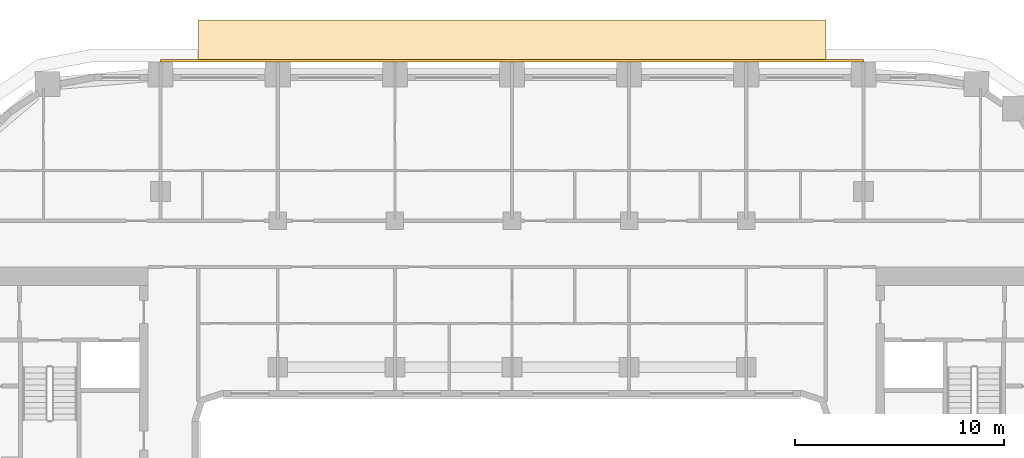
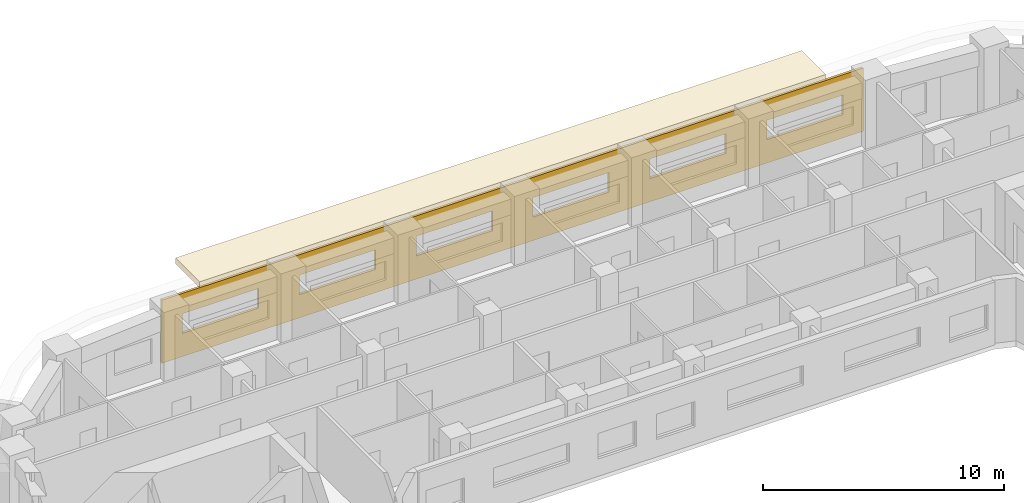
# One storey, part 21 of 22: 2 coverings.
"""IFC4 building model written with IfcOpenShell, lengths in metres."""

from ifc_helpers import new_model, si_unit, direction, frame, origin, place, context, subcontext, project, spatial, polyline, outline, extrude, material, layer, layer_set, type_object, element, save


model = new_model("IFC4")

# Units and contexts
model_context = context("Model", 3, precision=1e-05, world=origin(), true_north=direction((0.0, 1.0)))
body_context = subcontext(model_context, "Body", "Model", "MODEL_VIEW")
ifc_project = project(units=[si_unit("LENGTHUNIT", "METRE"), si_unit("AREAUNIT", "SQUARE_METRE"), si_unit("VOLUMEUNIT", "CUBIC_METRE"), si_unit("PLANEANGLEUNIT", "RADIAN"), si_unit("MASSUNIT", "GRAM", prefix="KILO")], contexts=[model_context])

# Site, building, storey
site_placement = place(None, origin())
site = spatial("IfcSite", under=ifc_project, at=site_placement, CompositionType="ELEMENT")
building_placement = place(site_placement, origin())
building = spatial("IfcBuilding", under=site, at=building_placement, Name="Kiln Ring Residences", CompositionType="ELEMENT")
storey_placement = place(building_placement, frame((0.0, 0.0, 111.300048828125)))
storey = spatial("IfcBuildingStorey", under=building, at=storey_placement, Name="L28", CompositionType="ELEMENT", Elevation=111.300048828125)

# Coverings
ifc_material_1 = material(Name="Brick masonry, dark clay brick", Category="masonry")
ifc_layer_1 = layer(ifc_material_1, 0.1201171875)
ifc_layer_set_1 = layer_set([ifc_layer_1], Name="RAINSCREEN PANEL 120")
covering_type_1 = type_object("IfcCoveringType", Name="RAINSCREEN PANEL 120", PredefinedType="CLADDING", material=ifc_layer_set_1)
covering_1_placement = place(storey_placement, frame((16.800048828125, 23.06005859375, 0.0), z_axis=(0.0, 0.0, 1.0), x_axis=(-1.0, 0.0, 0.0)))
element("IfcCovering", 1, at=covering_1_placement, inside=storey, type_object=covering_type_1, Name="RAINSCREEN L28", PredefinedType="CLADDING", context=body_context, shape_type="SweptSolid", body=[
    extrude(outline(polyline([(0.0, 0.0), (33.60009765625, 0.0), (33.60009765625, 3.199951171875), (0.0, 3.199951171875), (0.0, 0.0)]), holes=[polyline([(4.6201171875, 1.179931640625), (4.6201171875, 2.169921875), (0.97998046875, 2.169921875), (0.97998046875, 1.179931640625), (4.6201171875, 1.179931640625)]), polyline([(6.580078125, 1.179931640625), (10.219970703125, 1.179931640625), (10.219970703125, 2.169921875), (6.580078125, 2.169921875), (6.580078125, 1.179931640625)]), polyline([(12.179931640625, 1.179931640625), (15.820068359375, 1.179931640625), (15.820068359375, 2.169921875), (12.179931640625, 2.169921875), (12.179931640625, 1.179931640625)]), polyline([(21.419921875, 1.179931640625), (21.419921875, 2.169921875), (17.780029296875, 2.169921875), (17.780029296875, 1.179931640625), (21.419921875, 1.179931640625)]), polyline([(23.3798828125, 1.179931640625), (27.02001953125, 1.179931640625), (27.02001953125, 2.169921875), (23.3798828125, 2.169921875), (23.3798828125, 1.179931640625)]), polyline([(28.97998046875, 1.179931640625), (32.6201171875, 1.179931640625), (32.6201171875, 2.169921875), (28.97998046875, 2.169921875), (28.97998046875, 1.179931640625)])]), frame((0.0, 0.06005859375, 0.0), z_axis=(0.0, -1.0, 0.0), x_axis=(1.0, 0.0, 0.0)), (0.0, 0.0, 1.0), 0.1201171875),
])
ifc_material_2 = material(Name="Black powder-coated steel", Category="steel")
ifc_layer_2 = layer(ifc_material_2, 0.300048828125)
ifc_layer_set_2 = layer_set([ifc_layer_2], Name="SUNSHADE BAND 2000")
covering_type_2 = type_object("IfcCoveringType", Name="SUNSHADE BAND 2000", PredefinedType="CLADDING", material=ifc_layer_set_2)
covering_2_placement = place(storey_placement, frame((0.0, 0.0, 3.199951171875)))
element("IfcCovering", 2, at=covering_2_placement, inside=storey, type_object=covering_type_2, Name="SUNSHADE BAND L28", PredefinedType="CLADDING", context=body_context, shape_type="SweptSolid", body=[
    extrude(outline(polyline([(15.0, 25.0), (-15.0, 25.0), (-15.0, 23.0), (15.0, 23.0), (15.0, 25.0)])), origin(), (0.0, 0.0, 1.0), 0.300048828125),
])

save(model, "model.ifc")
